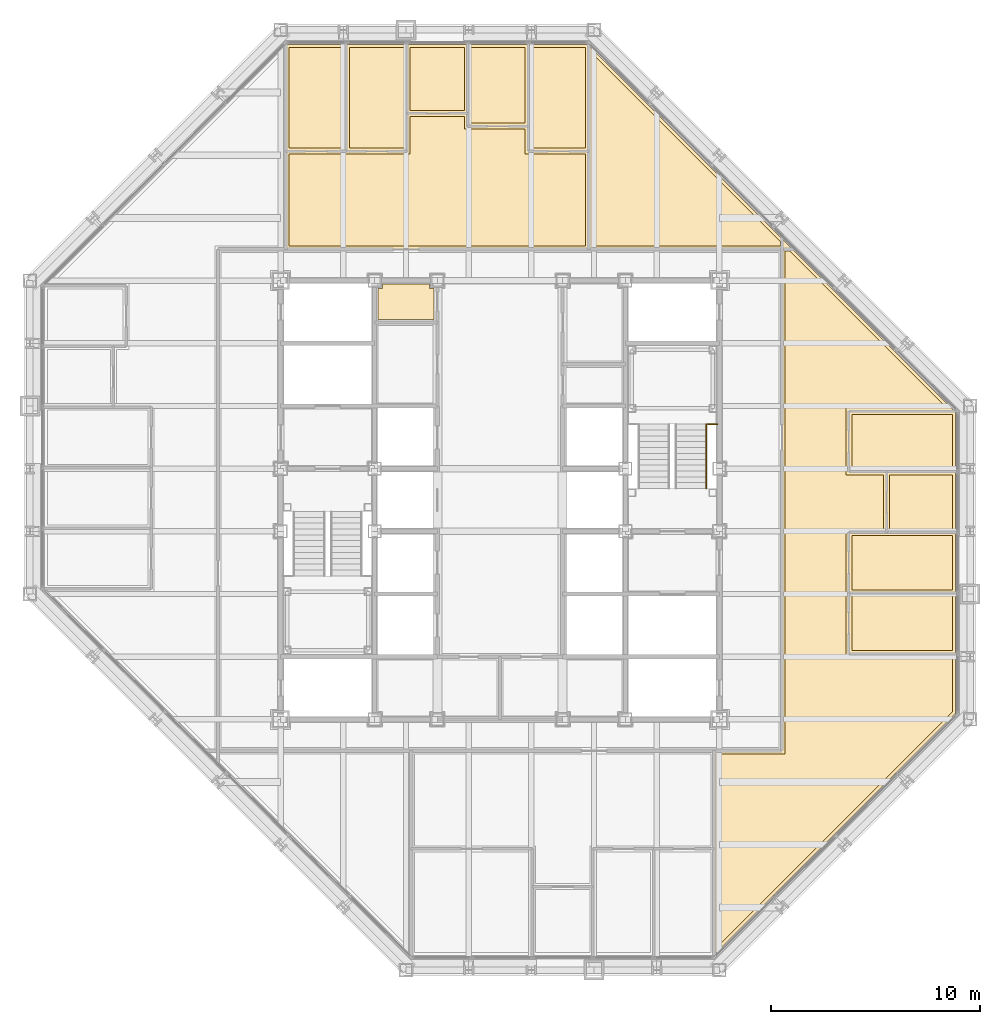
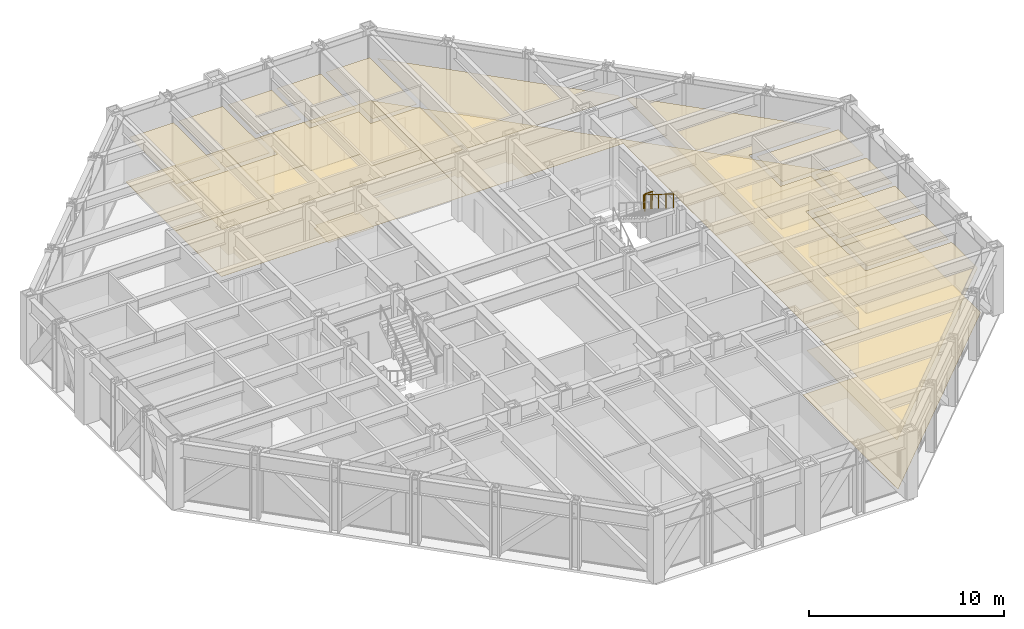
# One storey, part 15 of 15: 24 coverings, 2 railings.
"""IFC4 building model written with IfcOpenShell, lengths in metres."""

from ifc_helpers import new_model, si_unit, direction, frame, origin, origin_2d, place, context, subcontext, project, spatial, polyline, circle, outline, extrude, material, layer, layer_set, type_object, element, save


model = new_model("IFC4")

# Units and contexts
model_context = context("Model", 3, precision=1e-05, world=origin(), true_north=direction((0.0, 1.0)))
body_context = subcontext(model_context, "Body", "Model", "MODEL_VIEW")
ifc_project = project(units=[si_unit("LENGTHUNIT", "METRE"), si_unit("AREAUNIT", "SQUARE_METRE"), si_unit("VOLUMEUNIT", "CUBIC_METRE"), si_unit("PLANEANGLEUNIT", "RADIAN"), si_unit("MASSUNIT", "GRAM", prefix="KILO")], contexts=[model_context])

# Site, building, storey
site_placement = place(None, origin())
site = spatial("IfcSite", under=ifc_project, at=site_placement, CompositionType="ELEMENT")
building_placement = place(site_placement, origin())
building = spatial("IfcBuilding", under=site, at=building_placement, Name="Chuquiago Exchange Tower", CompositionType="ELEMENT")
storey_placement = place(building_placement, frame((0.0, 0.0, 197.10009765625)))
storey = spatial("IfcBuildingStorey", under=building, at=storey_placement, Name="L43", CompositionType="ELEMENT", Elevation=197.10009765625)

# Coverings
ifc_material_1 = material(Name="Mineral fibre tile, 600 x 600, on pale metal grid", Category="mineral fibre")
ifc_layer_1 = layer(ifc_material_1, 0.02001953125)
ifc_layer_set_1 = layer_set([ifc_layer_1], Name="CL1 suspended tile ceiling 20")
covering_type_1 = type_object("IfcCoveringType", Name="CL1 suspended tile ceiling 20", PredefinedType="CEILING", material=ifc_layer_set_1)
covering_1_placement = place(storey_placement, frame((0.0, 0.0, 2.7998046875)))
element("IfcCovering", 1, at=covering_1_placement, inside=storey, type_object=covering_type_1, Name="Ceiling Office", PredefinedType="CEILING", context=body_context, shape_type="SweptSolid", body=[
    extrude(outline(polyline([(39.35009765625, 15.299072265625), (39.35009765625, 17.899658203125), (44.14990234375, 17.899658203125), (44.14990234375, 15.299072265625), (39.35009765625, 15.299072265625)])), origin(), (0.0, 0.0, 1.0), 0.02001953125),
])
covering_2_placement = place(storey_placement, frame((0.0, 0.0, 2.7998046875)))
element("IfcCovering", 2, at=covering_2_placement, inside=storey, type_object=covering_type_1, Name="Ceiling Office", PredefinedType="CEILING", context=body_context, shape_type="SweptSolid", body=[
    extrude(outline(polyline([(39.35009765625, 18.19970703125), (39.35009765625, 20.80029296875), (44.14990234375, 20.80029296875), (44.14990234375, 18.19970703125), (39.35009765625, 18.19970703125)])), origin(), (0.0, 0.0, 1.0), 0.02001953125),
])
covering_3_placement = place(storey_placement, frame((0.0, 0.0, 2.7998046875)))
element("IfcCovering", 3, at=covering_3_placement, inside=storey, type_object=covering_type_1, Name="Ceiling Focus room", PredefinedType="CEILING", context=body_context, shape_type="SweptSolid", body=[
    extrude(outline(polyline([(41.14990234375, 21.100341796875), (41.14990234375, 23.700927734375), (44.14990234375, 23.700927734375), (44.14990234375, 21.100341796875), (41.14990234375, 21.100341796875)])), origin(), (0.0, 0.0, 1.0), 0.02001953125),
])
covering_4_placement = place(storey_placement, frame((0.0, 0.0, 2.7998046875)))
element("IfcCovering", 4, at=covering_4_placement, inside=storey, type_object=covering_type_1, Name="Ceiling Meeting room", PredefinedType="CEILING", context=body_context, shape_type="SweptSolid", body=[
    extrude(outline(polyline([(44.14990234375, 24.0009765625), (39.35009765625, 24.0009765625), (39.35009765625, 26.6015625), (44.14990234375, 26.6015625), (44.14990234375, 24.0009765625)])), origin(), (0.0, 0.0, 1.0), 0.02001953125),
])
covering_5_placement = place(storey_placement, frame((0.0, 0.0, 2.7998046875)))
element("IfcCovering", 5, at=covering_5_placement, inside=storey, type_object=covering_type_1, Name="Ceiling Office", PredefinedType="CEILING", context=body_context, shape_type="SweptSolid", body=[
    extrude(outline(polyline([(14.9990234375, 44.14990234375), (14.9990234375, 39.35009765625), (12.3984375, 39.35009765625), (12.3984375, 44.14990234375), (14.9990234375, 44.14990234375)])), origin(), (0.0, 0.0, 1.0), 0.02001953125),
])
covering_6_placement = place(storey_placement, frame((0.0, 0.0, 2.7998046875)))
element("IfcCovering", 6, at=covering_6_placement, inside=storey, type_object=covering_type_1, Name="Ceiling Office", PredefinedType="CEILING", context=body_context, shape_type="SweptSolid", body=[
    extrude(outline(polyline([(17.899658203125, 39.35009765625), (15.299072265625, 39.35009765625), (15.299072265625, 44.14990234375), (17.899658203125, 44.14990234375), (17.899658203125, 39.35009765625)])), origin(), (0.0, 0.0, 1.0), 0.02001953125),
])
covering_7_placement = place(storey_placement, frame((0.0, 0.0, 2.7998046875)))
element("IfcCovering", 7, at=covering_7_placement, inside=storey, type_object=covering_type_1, Name="Ceiling Focus room", PredefinedType="CEILING", context=body_context, shape_type="SweptSolid", body=[
    extrude(outline(polyline([(20.80029296875, 41.14990234375), (18.19970703125, 41.14990234375), (18.19970703125, 44.14990234375), (20.80029296875, 44.14990234375), (20.80029296875, 41.14990234375)])), origin(), (0.0, 0.0, 1.0), 0.02001953125),
])
covering_8_placement = place(storey_placement, frame((0.0, 0.0, 2.7998046875)))
element("IfcCovering", 8, at=covering_8_placement, inside=storey, type_object=covering_type_1, Name="Ceiling Pantry", PredefinedType="CEILING", context=body_context, shape_type="SweptSolid", body=[
    extrude(outline(polyline([(23.700927734375, 40.550048828125), (21.100341796875, 40.550048828125), (21.100341796875, 44.14990234375), (23.700927734375, 44.14990234375), (23.700927734375, 40.550048828125)])), origin(), (0.0, 0.0, 1.0), 0.02001953125),
])
covering_9_placement = place(storey_placement, frame((0.0, 0.0, 2.7998046875)))
element("IfcCovering", 9, at=covering_9_placement, inside=storey, type_object=covering_type_1, Name="Ceiling Meeting room", PredefinedType="CEILING", context=body_context, shape_type="SweptSolid", body=[
    extrude(outline(polyline([(26.6015625, 39.35009765625), (24.0009765625, 39.35009765625), (24.0009765625, 44.14990234375), (26.6015625, 44.14990234375), (26.6015625, 39.35009765625)])), origin(), (0.0, 0.0, 1.0), 0.02001953125),
])
covering_10_placement = place(storey_placement, frame((0.0, 0.0, 2.7998046875)))
element("IfcCovering", 10, at=covering_10_placement, inside=storey, type_object=covering_type_1, Name="Ceiling Open office north suite", PredefinedType="CEILING", context=body_context, shape_type="SweptSolid", body=[
    extrude(outline(polyline([(18.19970703125, 39.050048828125), (18.19970703125, 40.85009765625), (20.80029296875, 40.85009765625), (20.80029296875, 40.25), (23.700927734375, 40.25), (23.700927734375, 39.050048828125), (26.60107421875, 39.050048828125), (26.60107421875, 34.650390625), (12.39892578125, 34.650390625), (12.39892578125, 39.050048828125), (18.19970703125, 39.050048828125)])), origin(), (0.0, 0.0, 1.0), 0.02001953125),
])
covering_11_placement = place(storey_placement, frame((0.0, 0.0, 2.7998046875)))
element("IfcCovering", 11, at=covering_11_placement, inside=storey, type_object=covering_type_1, Name="Ceiling Open office east suite", PredefinedType="CEILING", context=body_context, shape_type="SweptSolid", body=[
    extrude(outline(polyline([(43.896484375, 26.901611328125), (39.050048828125, 26.901611328125), (39.050048828125, 23.700927734375), (40.85009765625, 23.700927734375), (40.85009765625, 21.100341796875), (39.050048828125, 21.100341796875), (39.050048828125, 14.9990234375), (44.14990234375, 14.9990234375), (44.14990234375, 12.35205078125), (32.902099609375, 1.10400390625), (32.902099609375, 10.349609375), (36.150390625, 10.35009765625), (36.150390625, 34.4150390625), (36.383056640625, 34.4150390625), (43.896484375, 26.901611328125)])), origin(), (0.0, 0.0, 1.0), 0.02001953125),
])
covering_12_placement = place(storey_placement, frame((0.0, 0.0, 2.7998046875)))
element("IfcCovering", 12, at=covering_12_placement, inside=storey, type_object=covering_type_1, Name="Ceiling Open office east suite", PredefinedType="CEILING", context=body_context, shape_type="SweptSolid", body=[
    extrude(outline(polyline([(26.902099609375, 34.650390625), (26.902099609375, 43.89599609375), (35.9150390625, 34.883056640625), (35.9150390625, 34.64990234375), (26.902099609375, 34.650390625)])), origin(), (0.0, 0.0, 1.0), 0.02001953125),
])
ifc_material_2 = material(Name="Moisture resistant plasterboard on metal frame", Category="gypsum")
ifc_layer_2 = layer(ifc_material_2, 0.014892578125)
ifc_layer_set_2 = layer_set([ifc_layer_2], Name="CL2 moisture resistant ceiling 15")
covering_type_2 = type_object("IfcCoveringType", Name="CL2 moisture resistant ceiling 15", PredefinedType="CEILING", material=ifc_layer_set_2)
covering_13_placement = place(storey_placement, frame((0.0, 0.0, 2.599853515625)))
element("IfcCovering", 13, at=covering_13_placement, inside=storey, type_object=covering_type_2, Name="Ceiling Staff shower room", PredefinedType="CEILING", context=body_context, shape_type="SweptSolid", body=[
    extrude(outline(polyline([(16.64990234375, 31.14990234375), (16.64990234375, 32.625), (16.875, 32.625), (16.875, 32.85009765625), (19.125, 32.85009765625), (19.125, 32.625), (19.35009765625, 32.625), (19.35009765625, 31.14990234375), (16.64990234375, 31.14990234375)])), origin(), (0.0, 0.0, 1.0), 0.01513671875),
])
ifc_material_3 = material(Name="Carpet tile, 500 x 500, on the floor slab", Category="textile")
ifc_layer_3 = layer(ifc_material_3, 0.010009765625)
ifc_layer_set_3 = layer_set([ifc_layer_3], Name="FL1 carpet tile 10")
covering_type_3 = type_object("IfcCoveringType", Name="FL1 carpet tile 10", PredefinedType="FLOORING", material=ifc_layer_set_3)
covering_14_placement = place(storey_placement, origin())
element("IfcCovering", 14, at=covering_14_placement, inside=storey, type_object=covering_type_3, Name="Floor finish Office", PredefinedType="FLOORING", context=body_context, shape_type="SweptSolid", body=[
    extrude(outline(polyline([(44.300048828125, 15.149169921875), (39.199951171875, 15.149169921875), (39.199951171875, 18.0498046875), (44.300048828125, 18.0498046875), (44.300048828125, 15.149169921875)])), origin(), (0.0, 0.0, 1.0), 0.010009765625),
])
covering_15_placement = place(storey_placement, origin())
element("IfcCovering", 15, at=covering_15_placement, inside=storey, type_object=covering_type_3, Name="Floor finish Office", PredefinedType="FLOORING", context=body_context, shape_type="SweptSolid", body=[
    extrude(outline(polyline([(44.300048828125, 18.0498046875), (39.199951171875, 18.0498046875), (39.199951171875, 20.9501953125), (44.300048828125, 20.9501953125), (44.300048828125, 18.0498046875)])), origin(), (0.0, 0.0, 1.0), 0.010009765625),
])
covering_16_placement = place(storey_placement, origin())
element("IfcCovering", 16, at=covering_16_placement, inside=storey, type_object=covering_type_3, Name="Floor finish Focus room", PredefinedType="FLOORING", context=body_context, shape_type="SweptSolid", body=[
    extrude(outline(polyline([(44.300048828125, 20.9501953125), (41.0, 20.9501953125), (41.0, 23.850830078125), (44.300048828125, 23.850830078125), (44.300048828125, 20.9501953125)])), origin(), (0.0, 0.0, 1.0), 0.010009765625),
])
covering_17_placement = place(storey_placement, origin())
element("IfcCovering", 17, at=covering_17_placement, inside=storey, type_object=covering_type_3, Name="Floor finish Meeting room", PredefinedType="FLOORING", context=body_context, shape_type="SweptSolid", body=[
    extrude(outline(polyline([(44.300048828125, 26.710205078125), (44.300048828125, 23.850830078125), (39.199951171875, 23.850830078125), (39.199951171875, 26.75146484375), (44.258544921875, 26.75146484375), (44.300048828125, 26.710205078125)])), origin(), (0.0, 0.0, 1.0), 0.010009765625),
])
covering_18_placement = place(storey_placement, origin())
element("IfcCovering", 18, at=covering_18_placement, inside=storey, type_object=covering_type_3, Name="Floor finish Office", PredefinedType="FLOORING", context=body_context, shape_type="SweptSolid", body=[
    extrude(outline(polyline([(12.289794921875, 44.300048828125), (15.149169921875, 44.300048828125), (15.149169921875, 39.199951171875), (12.24853515625, 39.199951171875), (12.24853515625, 44.258544921875), (12.289794921875, 44.300048828125)])), origin(), (0.0, 0.0, 1.0), 0.010009765625),
])
covering_19_placement = place(storey_placement, origin())
element("IfcCovering", 19, at=covering_19_placement, inside=storey, type_object=covering_type_3, Name="Floor finish Office", PredefinedType="FLOORING", context=body_context, shape_type="SweptSolid", body=[
    extrude(outline(polyline([(18.0498046875, 44.300048828125), (18.0498046875, 39.199951171875), (15.149169921875, 39.199951171875), (15.149169921875, 44.300048828125), (18.0498046875, 44.300048828125)])), origin(), (0.0, 0.0, 1.0), 0.010009765625),
])
covering_20_placement = place(storey_placement, origin())
element("IfcCovering", 20, at=covering_20_placement, inside=storey, type_object=covering_type_3, Name="Floor finish Focus room", PredefinedType="FLOORING", context=body_context, shape_type="SweptSolid", body=[
    extrude(outline(polyline([(20.9501953125, 44.300048828125), (20.9501953125, 41.0), (18.0498046875, 41.0), (18.0498046875, 44.300048828125), (20.9501953125, 44.300048828125)])), origin(), (0.0, 0.0, 1.0), 0.010009765625),
])
covering_21_placement = place(storey_placement, origin())
element("IfcCovering", 21, at=covering_21_placement, inside=storey, type_object=covering_type_3, Name="Floor finish Meeting room", PredefinedType="FLOORING", context=body_context, shape_type="SweptSolid", body=[
    extrude(outline(polyline([(26.710205078125, 44.300048828125), (26.75146484375, 44.258544921875), (26.75146484375, 39.199951171875), (23.850830078125, 39.199951171875), (23.850830078125, 44.300048828125), (26.710205078125, 44.300048828125)])), origin(), (0.0, 0.0, 1.0), 0.010009765625),
])
covering_22_placement = place(storey_placement, origin())
element("IfcCovering", 22, at=covering_22_placement, inside=storey, type_object=covering_type_3, Name="Floor finish Open office north suite", PredefinedType="FLOORING", context=body_context, shape_type="SweptSolid", body=[
    extrude(outline(polyline([(12.2490234375, 39.199951171875), (18.0498046875, 39.199951171875), (18.0498046875, 41.0), (20.9501953125, 41.0), (20.9501953125, 40.39990234375), (23.850830078125, 40.39990234375), (23.850830078125, 39.199951171875), (26.7509765625, 39.199951171875), (26.7509765625, 34.50048828125), (12.2490234375, 34.50048828125), (12.2490234375, 39.199951171875)])), origin(), (0.0, 0.0, 1.0), 0.010009765625),
])
covering_23_placement = place(storey_placement, origin())
element("IfcCovering", 23, at=covering_23_placement, inside=storey, type_object=covering_type_3, Name="Floor finish Open office east suite", PredefinedType="FLOORING", context=body_context, shape_type="SweptSolid", body=[
    extrude(outline(polyline([(44.258544921875, 26.75146484375), (39.199951171875, 26.75146484375), (39.199951171875, 23.850830078125), (41.0, 23.850830078125), (41.0, 20.9501953125), (39.199951171875, 20.9501953125), (39.199951171875, 15.149169921875), (44.300048828125, 15.149169921875), (44.300048828125, 12.289794921875), (32.751953125, 0.741943359375), (32.751953125, 10.49951171875), (36.00048828125, 10.5), (36.00048828125, 34.5), (26.751953125, 34.50048828125), (26.751953125, 44.258056640625), (44.258544921875, 26.75146484375)])), origin(), (0.0, 0.0, 1.0), 0.010009765625),
])
ifc_material_4 = material(Name="Porcelain floor tile, 600 x 600, on adhesive bed", Category="ceramic")
ifc_layer_4 = layer(ifc_material_4, 0.014892578125)
ifc_layer_set_4 = layer_set([ifc_layer_4], Name="FL2 porcelain tile 15")
covering_type_4 = type_object("IfcCoveringType", Name="FL2 porcelain tile 15", PredefinedType="FLOORING", material=ifc_layer_set_4)
covering_24_placement = place(storey_placement, origin())
element("IfcCovering", 24, at=covering_24_placement, inside=storey, type_object=covering_type_4, Name="Floor finish Pantry", PredefinedType="FLOORING", context=body_context, shape_type="SweptSolid", body=[
    extrude(outline(polyline([(23.850830078125, 44.300048828125), (23.850830078125, 40.39990234375), (20.9501953125, 40.39990234375), (20.9501953125, 44.300048828125), (23.850830078125, 44.300048828125)])), origin(), (0.0, 0.0, 1.0), 0.014892578125),
])

# Railings
ifc_material_5 = material(Name="Pale metal guard with safety glass infill", Category="glass")
railing_type_1 = type_object("IfcRailingType", Name="GR1 guard 1100", PredefinedType="GUARDRAIL", material=ifc_material_5)
railing_1_placement = place(storey_placement, frame((32.445068359375, 26.1298828125, 2.099853515625)))
element("IfcRailing", 25, at=railing_1_placement, inside=storey, type_object=railing_type_1, Name="Guard ST2 L43 landing 2", PredefinedType="GUARDRAIL", context=body_context, shape_type="SweptSolid", body=[
    extrude(circle(Radius=0.02392578125, at=origin_2d()), frame((0.0, 0.0, 1.076171875), z_axis=(1.0, 0.0, 0.0), x_axis=(0.0, 1.0, 0.0)), (0.0, 0.0, 1.0), 0.454833984375),
    extrude(circle(Radius=0.02099609375, at=origin_2d()), origin(), (0.0, 0.0, 1.0), 1.052001953125),
    extrude(circle(Radius=0.02099609375, at=origin_2d()), frame((0.454833984375, 0.0, 0.0)), (0.0, 0.0, 1.0), 1.052001953125),
])
ifc_material_6 = material(Name="Pale metal handrail", Category="steel")
railing_type_2 = type_object("IfcRailingType", Name="HR1 handrail 900", PredefinedType="HANDRAIL", material=ifc_material_6)
railing_2_placement = place(storey_placement, frame((32.364990234375, 26.1298828125, 2.27490234375)))
element("IfcRailing", 26, at=railing_2_placement, inside=storey, type_object=railing_type_2, Name="Handrail ST2 L43 flight 2", PredefinedType="HANDRAIL", context=body_context, shape_type="SweptSolid", body=[
    extrude(circle(Radius=0.02392578125, at=origin_2d()), frame((0.0, 0.0, 0.8759765625), z_axis=(0.0, -0.847979421464, 0.530029150871), x_axis=(1.0, 0.0, 0.0)), (0.0, 0.0, 1.0), 3.632080078125),
    extrude(circle(Radius=0.02099609375, at=origin_2d()), origin(), (0.0, 0.0, 1.0), 0.851806640625),
    extrude(circle(Radius=0.02099609375, at=origin_2d()), frame((0.0, -0.77001953125, 0.481201171875)), (0.0, 0.0, 1.0), 0.851806640625),
    extrude(circle(Radius=0.02099609375, at=origin_2d()), frame((0.0, -1.5400390625, 0.96240234375)), (0.0, 0.0, 1.0), 0.851806640625),
    extrude(circle(Radius=0.02099609375, at=origin_2d()), frame((0.0, -2.309814453125, 1.44384765625)), (0.0, 0.0, 1.0), 0.851806640625),
    extrude(circle(Radius=0.02099609375, at=origin_2d()), frame((0.0, -3.079833984375, 1.925048828125)), (0.0, 0.0, 1.0), 0.851806640625),
])

save(model, "model.ifc")
